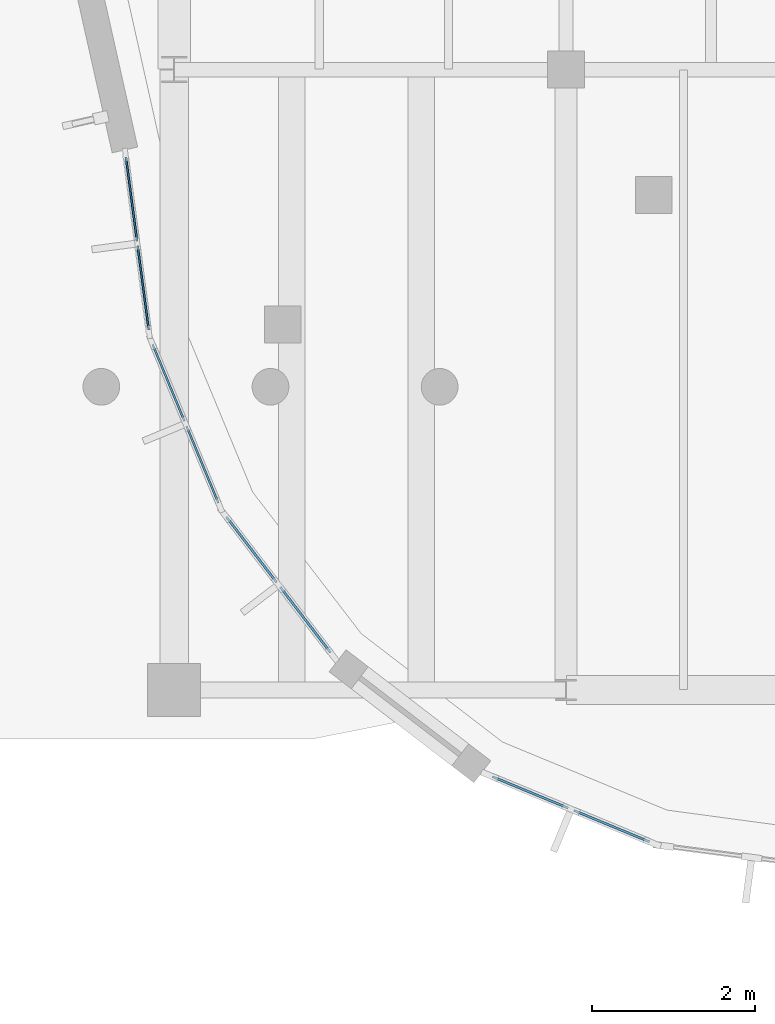
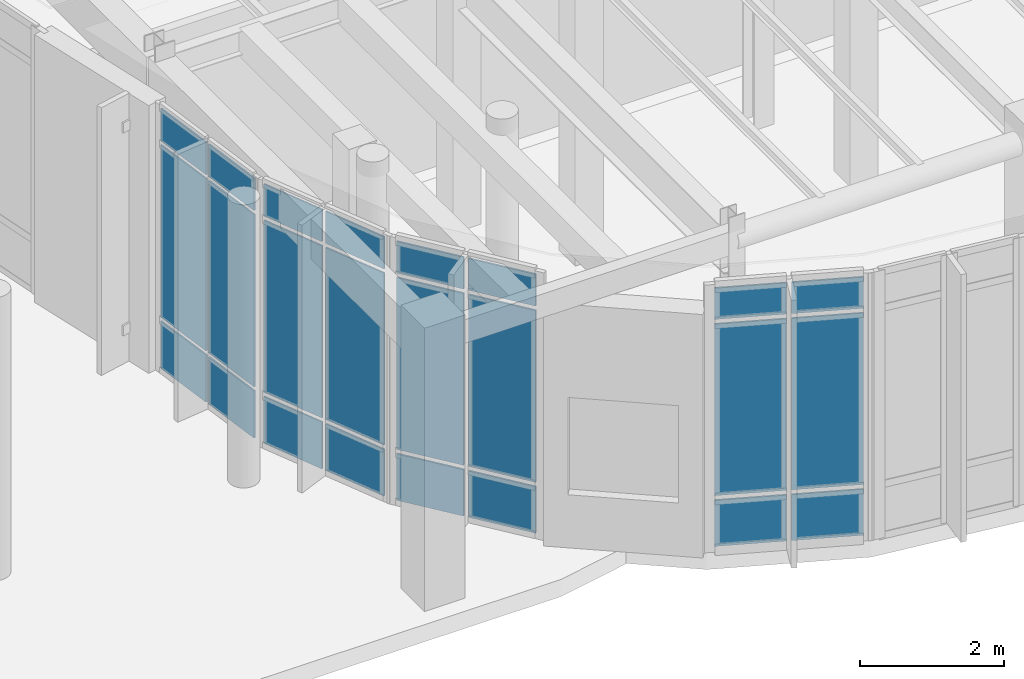
# One storey, part 74 of 120: 24 plates, 4 elements without a shape of their own.
"""IFC4 building model written with IfcOpenShell, lengths in metres."""

from ifc_helpers import new_model, si_unit, direction, frame, origin, origin_2d, place, context, subcontext, project, spatial, rectangle, extrude, material, layer, layer_set, type_object, element, aggregate, save


model = new_model("IFC4")

# Units and contexts
model_context = context("Model", 3, precision=1e-05, world=origin(), true_north=direction((0.0, 1.0)))
body_context = subcontext(model_context, "Body", "Model", "MODEL_VIEW")
ifc_project = project(units=[si_unit("LENGTHUNIT", "METRE"), si_unit("AREAUNIT", "SQUARE_METRE"), si_unit("VOLUMEUNIT", "CUBIC_METRE"), si_unit("PLANEANGLEUNIT", "RADIAN"), si_unit("MASSUNIT", "GRAM", prefix="KILO")], contexts=[model_context])

# Site, building, storey
site_placement = place(None, origin())
site = spatial("IfcSite", under=ifc_project, at=site_placement, CompositionType="ELEMENT")
building_placement = place(site_placement, origin())
building = spatial("IfcBuilding", under=site, at=building_placement, Name="Corveleigh Park Community Centre", CompositionType="ELEMENT")
storey_placement = place(building_placement, origin())
storey = spatial("IfcBuildingStorey", under=building, at=storey_placement, Name="L00", CompositionType="ELEMENT", Elevation=0.0)

# Curtain wall, plates
ifc_material_1 = material(Name="Anodised aluminium 6063-T6", Category="aluminium")
curtain_wall_type = type_object("IfcCurtainWallType", Name="CW-SYS-V4-L00", PredefinedType="NOTDEFINED", material=ifc_material_1)
curtain_wall_1_placement = place(storey_placement, origin())
curtain_wall_1 = element("IfcCurtainWall", 1, at=curtain_wall_1_placement, inside=storey, type_object=curtain_wall_type, Name="V4 L00 Curtain Wall 157", PredefinedType="NOTDEFINED")
ifc_material_2 = material(Name="Low-E double glazing", Category="glass")
ifc_layer_1 = layer(ifc_material_2, 0.02392578125, Name="Low-E double glazing", Category="glass")
ifc_layer_set_1 = layer_set([ifc_layer_1], Name="Low-E double glazing")
plate_type_1 = type_object("IfcPlateType", Name="CWP-GLZ-24", PredefinedType="CURTAIN_PANEL", material=ifc_layer_set_1)
plate_1_placement = place(storey_placement, frame((129.420654296875, 63.526611328125, 0.06494140625), z_axis=(0.0, 0.0, 1.0), x_axis=(-0.13064993165, 0.991428562913, 0.0)))
plate_1 = element("IfcPlate", 2, at=plate_1_placement, type_object=plate_type_1, Name="CW07 panel 1.1", PredefinedType="CURTAIN_PANEL", context=body_context, shape_type="SweptSolid", body=[
    extrude(rectangle(XDim=1.03515625, YDim=0.02392578125, at=origin_2d()), origin(), (0.0, 0.0, 1.0), 0.802490234375),
])
plate_2_placement = place(storey_placement, frame((129.420654296875, 63.526611328125, 0.9326171875), z_axis=(0.0, 0.0, 1.0), x_axis=(-0.13064993165, 0.991428562913, 0.0)))
plate_2 = element("IfcPlate", 3, at=plate_2_placement, type_object=plate_type_1, Name="CW07 panel 1.2", PredefinedType="CURTAIN_PANEL", context=body_context, shape_type="SweptSolid", body=[
    extrude(rectangle(XDim=1.03515625, YDim=0.02392578125, at=origin_2d()), origin(), (0.0, 0.0, 1.0), 2.922119140625),
])
plate_3_placement = place(storey_placement, frame((129.420654296875, 63.526611328125, 3.91943359375), z_axis=(0.0, 0.0, 1.0), x_axis=(-0.13064993165, 0.991428562913, 0.0)))
plate_3 = element("IfcPlate", 4, at=plate_3_placement, type_object=plate_type_1, Name="CW07 panel 1.3", PredefinedType="CURTAIN_PANEL", context=body_context, shape_type="SweptSolid", body=[
    extrude(rectangle(XDim=1.03515625, YDim=0.02392578125, at=origin_2d()), origin(), (0.0, 0.0, 1.0), 0.552490234375),
])
plate_4_placement = place(storey_placement, frame((129.27734375, 64.6123046875, 0.06494140625), z_axis=(0.0, 0.0, 1.0), x_axis=(-0.13064993165, 0.991428562913, 0.0)))
plate_4 = element("IfcPlate", 5, at=plate_4_placement, type_object=plate_type_1, Name="CW07 panel 2.1", PredefinedType="CURTAIN_PANEL", context=body_context, shape_type="SweptSolid", body=[
    extrude(rectangle(XDim=1.03515625, YDim=0.02392578125, at=origin_2d()), origin(), (0.0, 0.0, 1.0), 0.802490234375),
])
plate_5_placement = place(storey_placement, frame((129.27734375, 64.6123046875, 0.9326171875), z_axis=(0.0, 0.0, 1.0), x_axis=(-0.13064993165, 0.991428562913, 0.0)))
plate_5 = element("IfcPlate", 6, at=plate_5_placement, type_object=plate_type_1, Name="CW07 panel 2.2", PredefinedType="CURTAIN_PANEL", context=body_context, shape_type="SweptSolid", body=[
    extrude(rectangle(XDim=1.03515625, YDim=0.02392578125, at=origin_2d()), origin(), (0.0, 0.0, 1.0), 2.922119140625),
])
plate_6_placement = place(storey_placement, frame((129.27734375, 64.6123046875, 3.91943359375), z_axis=(0.0, 0.0, 1.0), x_axis=(-0.13064993165, 0.991428562913, 0.0)))
plate_6 = element("IfcPlate", 7, at=plate_6_placement, type_object=plate_type_1, Name="CW07 panel 2.3", PredefinedType="CURTAIN_PANEL", context=body_context, shape_type="SweptSolid", body=[
    extrude(rectangle(XDim=1.03515625, YDim=0.02392578125, at=origin_2d()), origin(), (0.0, 0.0, 1.0), 0.552490234375),
])
aggregate(curtain_wall_1, [plate_1, plate_2, plate_3, plate_4, plate_5, plate_6])

curtain_wall_2_placement = place(storey_placement, origin())
curtain_wall_2 = element("IfcCurtainWall", 8, at=curtain_wall_2_placement, inside=storey, type_object=curtain_wall_type, Name="V4 L00 Curtain Wall 158", PredefinedType="NOTDEFINED")
plate_7_placement = place(storey_placement, frame((130.14697265625, 61.360595703125, 0.070068359375), z_axis=(0.0, 0.0, 1.0), x_axis=(-0.383024346152, 0.923738247695, 0.0)))
plate_7 = element("IfcPlate", 9, at=plate_7_placement, type_object=plate_type_1, Name="CW07 panel 1.1", PredefinedType="CURTAIN_PANEL", context=body_context, shape_type="SweptSolid", body=[
    extrude(rectangle(XDim=1.0185546875, YDim=0.02392578125, at=origin_2d()), origin(), (0.0, 0.0, 1.0), 0.794921875),
])
plate_8_placement = place(storey_placement, frame((130.14697265625, 61.360595703125, 0.93505859375), z_axis=(0.0, 0.0, 1.0), x_axis=(-0.383024346152, 0.923738247695, 0.0)))
plate_8 = element("IfcPlate", 10, at=plate_8_placement, type_object=plate_type_1, Name="CW07 panel 1.2", PredefinedType="CURTAIN_PANEL", context=body_context, shape_type="SweptSolid", body=[
    extrude(rectangle(XDim=1.0185546875, YDim=0.02392578125, at=origin_2d()), origin(), (0.0, 0.0, 1.0), 2.9169921875),
])
plate_9_placement = place(storey_placement, frame((130.14697265625, 61.360595703125, 3.922119140625), z_axis=(0.0, 0.0, 1.0), x_axis=(-0.383024346152, 0.923738247695, 0.0)))
plate_9 = element("IfcPlate", 11, at=plate_9_placement, type_object=plate_type_1, Name="CW07 panel 1.3", PredefinedType="CURTAIN_PANEL", context=body_context, shape_type="SweptSolid", body=[
    extrude(rectangle(XDim=1.0185546875, YDim=0.02392578125, at=origin_2d()), origin(), (0.0, 0.0, 1.0), 0.544921875),
])
plate_10_placement = place(storey_placement, frame((129.73193359375, 62.361572265625, 0.070068359375), z_axis=(0.0, 0.0, 1.0), x_axis=(-0.383024346152, 0.923738247695, 0.0)))
plate_10 = element("IfcPlate", 12, at=plate_10_placement, type_object=plate_type_1, Name="CW07 panel 2.1", PredefinedType="CURTAIN_PANEL", context=body_context, shape_type="SweptSolid", body=[
    extrude(rectangle(XDim=1.0185546875, YDim=0.02392578125, at=origin_2d()), origin(), (0.0, 0.0, 1.0), 0.794921875),
])
plate_11_placement = place(storey_placement, frame((129.73193359375, 62.361572265625, 0.93505859375), z_axis=(0.0, 0.0, 1.0), x_axis=(-0.383024346152, 0.923738247695, 0.0)))
plate_11 = element("IfcPlate", 13, at=plate_11_placement, type_object=plate_type_1, Name="CW07 panel 2.2", PredefinedType="CURTAIN_PANEL", context=body_context, shape_type="SweptSolid", body=[
    extrude(rectangle(XDim=1.0185546875, YDim=0.02392578125, at=origin_2d()), origin(), (0.0, 0.0, 1.0), 2.9169921875),
])
plate_12_placement = place(storey_placement, frame((129.73193359375, 62.361572265625, 3.922119140625), z_axis=(0.0, 0.0, 1.0), x_axis=(-0.383024346152, 0.923738247695, 0.0)))
plate_12 = element("IfcPlate", 14, at=plate_12_placement, type_object=plate_type_1, Name="CW07 panel 2.3", PredefinedType="CURTAIN_PANEL", context=body_context, shape_type="SweptSolid", body=[
    extrude(rectangle(XDim=1.0185546875, YDim=0.02392578125, at=origin_2d()), origin(), (0.0, 0.0, 1.0), 0.544921875),
])
aggregate(curtain_wall_2, [plate_7, plate_8, plate_9, plate_10, plate_11, plate_12])

curtain_wall_3_placement = place(storey_placement, origin())
curtain_wall_3 = element("IfcCurtainWall", 15, at=curtain_wall_3_placement, inside=storey, type_object=curtain_wall_type, Name="V4 L00 Curtain Wall 159", PredefinedType="NOTDEFINED")
ifc_layer_2 = layer(ifc_material_2, 0.028076171875, Name="Low-E double glazing", Category="glass")
ifc_layer_set_2 = layer_set([ifc_layer_2], Name="Low-E double glazing")
plate_type_2 = type_object("IfcPlateType", Name="CWP-GLZ-28", PredefinedType="CURTAIN_PANEL", material=ifc_layer_set_2)
plate_13_placement = place(storey_placement, frame((131.407470703125, 59.459228515625, 0.074951171875), z_axis=(0.0, 0.0, 1.0), x_axis=(-0.608628822511, 0.79345507523, 0.0)))
plate_13 = element("IfcPlate", 16, at=plate_13_placement, type_object=plate_type_2, Name="CW07 panel 1.1", PredefinedType="CURTAIN_PANEL", context=body_context, shape_type="SweptSolid", body=[
    extrude(rectangle(XDim=1.01220703125, YDim=0.028076171875, at=origin_2d()), origin(), (0.0, 0.0, 1.0), 0.78759765625),
])
plate_14_placement = place(storey_placement, frame((131.407470703125, 59.459228515625, 0.9375), z_axis=(0.0, 0.0, 1.0), x_axis=(-0.608628822511, 0.79345507523, 0.0)))
plate_14 = element("IfcPlate", 17, at=plate_14_placement, type_object=plate_type_2, Name="CW07 panel 1.2", PredefinedType="CURTAIN_PANEL", context=body_context, shape_type="SweptSolid", body=[
    extrude(rectangle(XDim=1.01220703125, YDim=0.028076171875, at=origin_2d()), origin(), (0.0, 0.0, 1.0), 2.912109375),
])
plate_15_placement = place(storey_placement, frame((131.407470703125, 59.459228515625, 3.924560546875), z_axis=(0.0, 0.0, 1.0), x_axis=(-0.608628822511, 0.79345507523, 0.0)))
plate_15 = element("IfcPlate", 18, at=plate_15_placement, type_object=plate_type_2, Name="CW07 panel 1.3", PredefinedType="CURTAIN_PANEL", context=body_context, shape_type="SweptSolid", body=[
    extrude(rectangle(XDim=1.01220703125, YDim=0.028076171875, at=origin_2d()), origin(), (0.0, 0.0, 1.0), 0.53759765625),
])
plate_16_placement = place(storey_placement, frame((130.74853515625, 60.31787109375, 0.074951171875), z_axis=(0.0, 0.0, 1.0), x_axis=(-0.608628822511, 0.79345507523, 0.0)))
plate_16 = element("IfcPlate", 19, at=plate_16_placement, type_object=plate_type_2, Name="CW07 panel 2.1", PredefinedType="CURTAIN_PANEL", context=body_context, shape_type="SweptSolid", body=[
    extrude(rectangle(XDim=1.01220703125, YDim=0.028076171875, at=origin_2d()), origin(), (0.0, 0.0, 1.0), 0.78759765625),
])
plate_17_placement = place(storey_placement, frame((130.74853515625, 60.31787109375, 0.9375), z_axis=(0.0, 0.0, 1.0), x_axis=(-0.608628822511, 0.79345507523, 0.0)))
plate_17 = element("IfcPlate", 20, at=plate_17_placement, type_object=plate_type_2, Name="CW07 panel 2.2", PredefinedType="CURTAIN_PANEL", context=body_context, shape_type="SweptSolid", body=[
    extrude(rectangle(XDim=1.01220703125, YDim=0.028076171875, at=origin_2d()), origin(), (0.0, 0.0, 1.0), 2.912109375),
])
plate_18_placement = place(storey_placement, frame((130.74853515625, 60.31787109375, 3.924560546875), z_axis=(0.0, 0.0, 1.0), x_axis=(-0.608628822511, 0.79345507523, 0.0)))
plate_18 = element("IfcPlate", 21, at=plate_18_placement, type_object=plate_type_2, Name="CW07 panel 2.3", PredefinedType="CURTAIN_PANEL", context=body_context, shape_type="SweptSolid", body=[
    extrude(rectangle(XDim=1.01220703125, YDim=0.028076171875, at=origin_2d()), origin(), (0.0, 0.0, 1.0), 0.53759765625),
])
aggregate(curtain_wall_3, [plate_13, plate_14, plate_15, plate_16, plate_17, plate_18])

curtain_wall_4_placement = place(storey_placement, origin())
curtain_wall_4 = element("IfcCurtainWall", 22, at=curtain_wall_4_placement, inside=storey, type_object=curtain_wall_type, Name="V4 L00 Curtain Wall 160", PredefinedType="NOTDEFINED")
plate_19_placement = place(storey_placement, frame((135.1591796875, 56.932861328125, 0.080078125), z_axis=(0.0, 0.0, 1.0), x_axis=(-0.923738247695, 0.383024346152, 0.0)))
plate_19 = element("IfcPlate", 23, at=plate_19_placement, type_object=plate_type_2, Name="CW07 panel 1.1", PredefinedType="CURTAIN_PANEL", context=body_context, shape_type="SweptSolid", body=[
    extrude(rectangle(XDim=1.003662109375, YDim=0.028076171875, at=origin_2d()), origin(), (0.0, 0.0, 1.0), 0.780029296875),
])
plate_20_placement = place(storey_placement, frame((135.1591796875, 56.932861328125, 0.93994140625), z_axis=(0.0, 0.0, 1.0), x_axis=(-0.923738247695, 0.383024346152, 0.0)))
plate_20 = element("IfcPlate", 24, at=plate_20_placement, type_object=plate_type_2, Name="CW07 panel 1.2", PredefinedType="CURTAIN_PANEL", context=body_context, shape_type="SweptSolid", body=[
    extrude(rectangle(XDim=1.003662109375, YDim=0.028076171875, at=origin_2d()), origin(), (0.0, 0.0, 1.0), 2.906982421875),
])
plate_21_placement = place(storey_placement, frame((135.1591796875, 56.932861328125, 3.9267578125), z_axis=(0.0, 0.0, 1.0), x_axis=(-0.923738247695, 0.383024346152, 0.0)))
plate_21 = element("IfcPlate", 25, at=plate_21_placement, type_object=plate_type_2, Name="CW07 panel 1.3", PredefinedType="CURTAIN_PANEL", context=body_context, shape_type="SweptSolid", body=[
    extrude(rectangle(XDim=1.003662109375, YDim=0.028076171875, at=origin_2d()), origin(), (0.0, 0.0, 1.0), 0.530029296875),
])
plate_22_placement = place(storey_placement, frame((134.162841796875, 57.345947265625, 0.080078125), z_axis=(0.0, 0.0, 1.0), x_axis=(-0.923738247695, 0.383024346152, 0.0)))
plate_22 = element("IfcPlate", 26, at=plate_22_placement, type_object=plate_type_2, Name="CW07 panel 2.1", PredefinedType="CURTAIN_PANEL", context=body_context, shape_type="SweptSolid", body=[
    extrude(rectangle(XDim=1.003662109375, YDim=0.028076171875, at=origin_2d()), origin(), (0.0, 0.0, 1.0), 0.780029296875),
])
plate_23_placement = place(storey_placement, frame((134.162841796875, 57.345947265625, 0.93994140625), z_axis=(0.0, 0.0, 1.0), x_axis=(-0.923738247695, 0.383024346152, 0.0)))
plate_23 = element("IfcPlate", 27, at=plate_23_placement, type_object=plate_type_2, Name="CW07 panel 2.2", PredefinedType="CURTAIN_PANEL", context=body_context, shape_type="SweptSolid", body=[
    extrude(rectangle(XDim=1.003662109375, YDim=0.028076171875, at=origin_2d()), origin(), (0.0, 0.0, 1.0), 2.906982421875),
])
plate_24_placement = place(storey_placement, frame((134.162841796875, 57.345947265625, 3.9267578125), z_axis=(0.0, 0.0, 1.0), x_axis=(-0.923738247695, 0.383024346152, 0.0)))
plate_24 = element("IfcPlate", 28, at=plate_24_placement, type_object=plate_type_2, Name="CW07 panel 2.3", PredefinedType="CURTAIN_PANEL", context=body_context, shape_type="SweptSolid", body=[
    extrude(rectangle(XDim=1.003662109375, YDim=0.028076171875, at=origin_2d()), origin(), (0.0, 0.0, 1.0), 0.530029296875),
])
aggregate(curtain_wall_4, [plate_19, plate_20, plate_21, plate_22, plate_23, plate_24])

save(model, "model.ifc")
